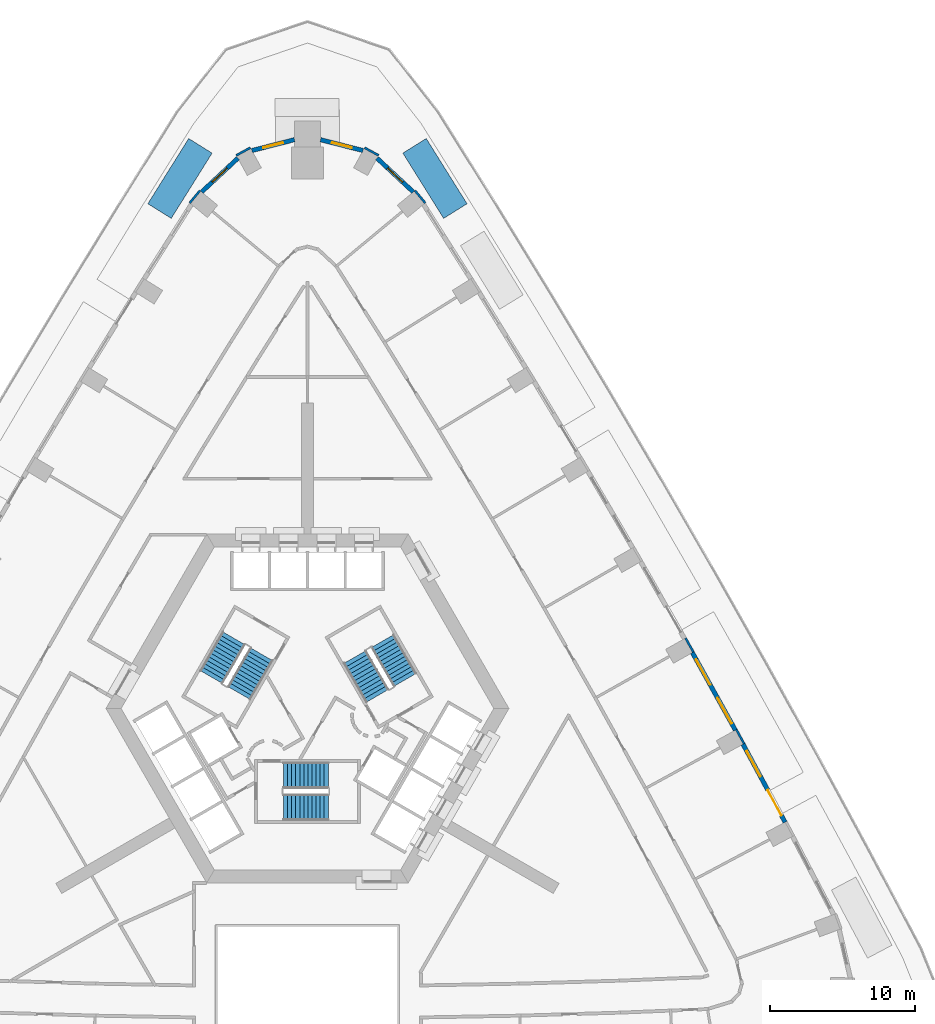
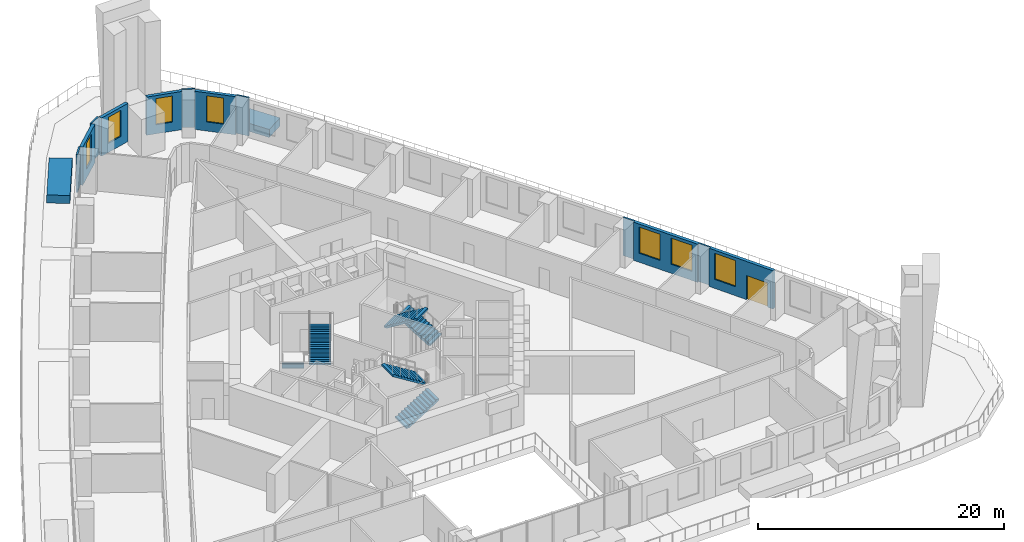
# One storey, part 12 of 16: 14 walls, 7 windows, 6 stair flights, 1 door, 8 openings, 3 elements without a shape of their own.
"""IFC4 building model written with IfcOpenShell, lengths in metres."""

from ifc_helpers import new_model, si_unit, direction, frame, frame_2d, origin, place, context, subcontext, project, spatial, polyline, rectangle, outline, extrude, material, layer, layer_set, type_object, element, fill, aggregate, save


model = new_model("IFC4")

# Units and contexts
model_context = context("Model", 3, precision=1e-05, world=origin(), true_north=direction((0.0, 1.0)))
body_context = subcontext(model_context, "Body", "Model", "MODEL_VIEW")
ifc_project = project(units=[si_unit("LENGTHUNIT", "METRE"), si_unit("AREAUNIT", "SQUARE_METRE"), si_unit("VOLUMEUNIT", "CUBIC_METRE"), si_unit("PLANEANGLEUNIT", "RADIAN"), si_unit("MASSUNIT", "GRAM", prefix="KILO")], contexts=[model_context])

# Site, building, storey
site_placement = place(None, origin())
site = spatial("IfcSite", under=ifc_project, at=site_placement, CompositionType="ELEMENT")
building_placement = place(site_placement, origin())
building = spatial("IfcBuilding", under=site, at=building_placement, Name="Entoto Arch Interchange Tower", CompositionType="ELEMENT")
storey_placement = place(building_placement, frame((0.0, 0.0, 86.60009765625)))
storey = spatial("IfcBuildingStorey", under=building, at=storey_placement, Name="L18", CompositionType="ELEMENT", Elevation=86.60009765625)

# Walls
ifc_material_1 = material(Name="Board-marked precast concrete C50/60", Category="concrete")
ifc_layer_1 = layer(ifc_material_1, 1.89990234375)
ifc_layer_set_1 = layer_set([ifc_layer_1], Name="Board-marked precast concrete C50/60")
wall_type_1 = type_object("IfcWallType", Name="PLANTER RC 1900 Afrocarpus falcatus", PredefinedType="STANDARD", material=ifc_layer_set_1)
wall_1_placement = place(storey_placement, frame((-7.363037109375, 41.199951171875, 0.0), z_axis=(0.0, 0.0, 1.0), x_axis=(-0.530433826126, -0.847726345056, 0.0)))
element("IfcWall", 1, at=wall_1_placement, inside=storey, type_object=wall_type_1, Name="Terrace planter NW-01 L18", PredefinedType="STANDARD", context=body_context, shape_type="SweptSolid", body=[
    extrude(rectangle(XDim=5.297607421875, YDim=1.89990234375, at=frame_2d((2.64892578125, 0.0))), origin(), (0.0, 0.0, 1.0), 0.7998046875),
])
ifc_layer_2 = layer(ifc_material_1, 1.89990234375)
ifc_layer_set_2 = layer_set([ifc_layer_2], Name="Board-marked precast concrete C50/60")
wall_type_2 = type_object("IfcWallType", Name="PLANTER RC 1900 Olea europaea subsp. cuspidata", PredefinedType="STANDARD", material=ifc_layer_set_2)
wall_2_placement = place(storey_placement, frame((10.173095703125, 36.708984375, 0.0), z_axis=(0.0, 0.0, 1.0), x_axis=(-0.530433826126, 0.847726345056, 0.0)))
element("IfcWall", 2, at=wall_2_placement, inside=storey, type_object=wall_type_2, Name="Terrace planter NE-09 L18", PredefinedType="STANDARD", context=body_context, shape_type="SweptSolid", body=[
    extrude(rectangle(XDim=5.297607421875, YDim=1.89990234375, at=frame_2d((2.64892578125, 0.0))), origin(), (0.0, 0.0, 1.0), 0.7998046875),
])

# Wall, openings, door, window
ifc_material_2 = material(Name="Welded tuff (ignimbrite) cladding, warm buff", Category="masonry")
ifc_layer_3 = layer(ifc_material_2, 0.300048828125)
ifc_layer_set_3 = layer_set([ifc_layer_3], Name="Welded tuff (ignimbrite) cladding, warm buff")
wall_type_3 = type_object("IfcWallType", Name="STONE INFILL WALL 300", PredefinedType="STANDARD", material=ifc_layer_set_3)
wall_3_placement = place(storey_placement, frame((32.85107421875, -5.324951171875, 0.0), z_axis=(0.0, 0.0, 1.0), x_axis=(-0.474369552216, 0.880325807829, 0.0)))
wall_3 = element("IfcWall", 3, at=wall_3_placement, inside=storey, type_object=wall_type_3, Name="Facade wall NE-02 L18", PredefinedType="STANDARD", context=body_context, shape_type="SweptSolid", body=[
    extrude(rectangle(XDim=6.098876953125, YDim=0.300048828125, at=frame_2d((3.04931640625, 0.0))), origin(), (0.0, 0.0, 1.0), 3.7998046875),
])
opening_1_placement = place(wall_3_placement, frame((0.52490234375, 0.0, 0.0)))
opening_1 = element("IfcOpeningElement", 4, at=opening_1_placement, cuts=wall_3, Name="Opening DT-NE-02-L18", PredefinedType="OPENING", context=body_context, shape_type="SweptSolid", body=[
    extrude(rectangle(XDim=2.0, YDim=2.39990234375, at=frame_2d((1.0, 1.199951171875))), frame((0.0, 0.16015625, 0.0), z_axis=(0.0, -1.0, 0.0), x_axis=(1.0, 0.0, 0.0)), (0.0, 0.0, 1.0), 0.320068359375),
])
opening_2_placement = place(wall_3_placement, frame((3.573974609375, 0.0, 0.89990234375)))
opening_2 = element("IfcOpeningElement", 5, at=opening_2_placement, cuts=wall_3, Name="Opening WO-C", PredefinedType="OPENING", context=body_context, shape_type="SweptSolid", body=[
    extrude(rectangle(XDim=2.0, YDim=2.60009765625, at=frame_2d((1.0, 1.300048828125))), frame((0.0, 0.16015625, 0.0), z_axis=(0.0, -1.0, 0.0), x_axis=(1.0, 0.0, 0.0)), (0.0, 0.0, 1.0), 0.320068359375),
])
ifc_material_3 = material(Name="Aluminium and clear glass, anodised", Category="aluminium")
door_type = type_object("IfcDoorType", Name="TERRACE DOOR DT 2000x2400", OperationType="SLIDING_TO_LEFT", PredefinedType="DOOR", material=ifc_material_3)
door_placement = place(opening_1_placement, origin())
door = element("IfcDoor", 6, at=door_placement, inside=storey, type_object=door_type, Name="Terrace door NE-02 L18", OperationType="SLIDING_TO_LEFT", OverallHeight=2.39990234375, OverallWidth=2.0, PredefinedType="DOOR", context=body_context, shape_type="SweptSolid", body=[
    extrude(rectangle(XDim=2.0, YDim=2.39990234375, at=frame_2d((1.0, 1.199951171875))), frame((0.0, 0.02490234375, 0.0), z_axis=(0.0, -1.0, 0.0), x_axis=(1.0, 0.0, 0.0)), (0.0, 0.0, 1.0), 0.050048828125),
])
fill(opening_1, door)
ifc_material_4 = material(Name="Clear glass, low-e double glazed", Category="glass")
window_type_1 = type_object("IfcWindowType", Name="WINDOW WO-C 2000x2600", PartitioningType="DOUBLE_PANEL_VERTICAL", PredefinedType="WINDOW", material=ifc_material_4)
window_1_placement = place(opening_2_placement, origin())
window_1 = element("IfcWindow", 7, at=window_1_placement, inside=storey, type_object=window_type_1, Name="Window WO-C NE-02 L18", OverallHeight=2.60009765625, OverallWidth=2.0, PartitioningType="SINGLE_PANEL", PredefinedType="WINDOW", context=body_context, shape_type="SweptSolid", body=[
    extrude(rectangle(XDim=2.0, YDim=2.60009765625, at=frame_2d((1.0, 1.300048828125))), frame((0.0, 0.030029296875, 0.0), z_axis=(0.0, -1.0, 0.0), x_axis=(1.0, 0.0, 0.0)), (0.0, 0.0, 1.0), 0.06005859375),
])
fill(opening_2, window_1)

# Wall, openings, windows
wall_4_placement = place(storey_placement, frame((29.430908203125, 1.007080078125, 0.0), z_axis=(0.0, 0.0, 1.0), x_axis=(-0.484823579315, 0.874611969356, 0.0)))
wall_4 = element("IfcWall", 8, at=wall_4_placement, inside=storey, type_object=wall_type_3, Name="Facade wall NE-03 L18", PredefinedType="STANDARD", context=body_context, shape_type="SweptSolid", body=[
    extrude(rectangle(XDim=6.0986328125, YDim=0.300048828125, at=frame_2d((3.04931640625, 0.0))), origin(), (0.0, 0.0, 1.0), 3.7998046875),
])
opening_3_placement = place(wall_4_placement, frame((0.52490234375, 0.0, 0.89990234375)))
opening_3 = element("IfcOpeningElement", 9, at=opening_3_placement, cuts=wall_4, Name="Opening WO-C", PredefinedType="OPENING", context=body_context, shape_type="SweptSolid", body=[
    extrude(rectangle(XDim=2.0, YDim=2.60009765625, at=frame_2d((1.0, 1.300048828125))), frame((0.0, 0.16015625, 0.0), z_axis=(0.0, -1.0, 0.0), x_axis=(1.0, 0.0, 0.0)), (0.0, 0.0, 1.0), 0.320068359375),
])
opening_4_placement = place(wall_4_placement, frame((3.573974609375, 0.0, 0.89990234375)))
opening_4 = element("IfcOpeningElement", 10, at=opening_4_placement, cuts=wall_4, Name="Opening WO-C", PredefinedType="OPENING", context=body_context, shape_type="SweptSolid", body=[
    extrude(rectangle(XDim=2.0, YDim=2.60009765625, at=frame_2d((1.0, 1.300048828125))), frame((0.0, 0.16015625, 0.0), z_axis=(0.0, -1.0, 0.0), x_axis=(1.0, 0.0, 0.0)), (0.0, 0.0, 1.0), 0.320068359375),
])
window_2_placement = place(opening_3_placement, origin())
window_2 = element("IfcWindow", 11, at=window_2_placement, inside=storey, type_object=window_type_1, Name="Window WO-C NE-03 L18", OverallHeight=2.60009765625, OverallWidth=2.0, PartitioningType="SINGLE_PANEL", PredefinedType="WINDOW", context=body_context, shape_type="SweptSolid", body=[
    extrude(rectangle(XDim=2.0, YDim=2.60009765625, at=frame_2d((1.0, 1.300048828125))), frame((0.0, 0.030029296875, 0.0), z_axis=(0.0, -1.0, 0.0), x_axis=(1.0, 0.0, 0.0)), (0.0, 0.0, 1.0), 0.06005859375),
])
fill(opening_3, window_2)
window_3_placement = place(opening_4_placement, origin())
window_3 = element("IfcWindow", 12, at=window_3_placement, inside=storey, type_object=window_type_1, Name="Window WO-C NE-03 L18", OverallHeight=2.60009765625, OverallWidth=2.0, PartitioningType="SINGLE_PANEL", PredefinedType="WINDOW", context=body_context, shape_type="SweptSolid", body=[
    extrude(rectangle(XDim=2.0, YDim=2.60009765625, at=frame_2d((1.0, 1.300048828125))), frame((0.0, 0.030029296875, 0.0), z_axis=(0.0, -1.0, 0.0), x_axis=(1.0, 0.0, 0.0)), (0.0, 0.0, 1.0), 0.06005859375),
])
fill(opening_4, window_3)

# Wall, opening, window
wall_5_placement = place(storey_placement, frame((7.281005859375, 38.02197265625, 0.0), z_axis=(0.0, 0.0, 1.0), x_axis=(-0.731614451791, 0.681718632525, 0.0)))
wall_5 = element("IfcWall", 13, at=wall_5_placement, inside=storey, type_object=wall_type_3, Name="Facade wall N-01 L18", PredefinedType="STANDARD", context=body_context, shape_type="SweptSolid", body=[
    extrude(rectangle(XDim=3.410400390625, YDim=0.300048828125, at=frame_2d((1.705078125, 0.0))), origin(), (0.0, 0.0, 1.0), 3.7998046875),
])
opening_5_placement = place(wall_5_placement, frame((1.0048828125, 0.0, 0.89990234375)))
opening_5 = element("IfcOpeningElement", 14, at=opening_5_placement, cuts=wall_5, Name="Opening WO-B", PredefinedType="OPENING", context=body_context, shape_type="SweptSolid", body=[
    extrude(rectangle(XDim=1.39990234375, YDim=2.60009765625, at=frame_2d((0.699951171875, 1.300048828125))), frame((0.0, 0.16015625, 0.0), z_axis=(0.0, -1.0, 0.0), x_axis=(1.0, 0.0, 0.0)), (0.0, 0.0, 1.0), 0.320068359375),
])
window_type_2 = type_object("IfcWindowType", Name="WINDOW WO-B 1400x2600", PartitioningType="DOUBLE_PANEL_VERTICAL", PredefinedType="WINDOW", material=ifc_material_4)
window_4_placement = place(opening_5_placement, origin())
window_4 = element("IfcWindow", 15, at=window_4_placement, inside=storey, type_object=window_type_2, Name="Window WO-B N-01 L18", OverallHeight=2.60009765625, OverallWidth=1.39990234375, PartitioningType="SINGLE_PANEL", PredefinedType="WINDOW", context=body_context, shape_type="SweptSolid", body=[
    extrude(rectangle(XDim=1.39990234375, YDim=2.60009765625, at=frame_2d((0.699951171875, 1.300048828125))), frame((0.0, 0.030029296875, 0.0), z_axis=(0.0, -1.0, 0.0), x_axis=(1.0, 0.0, 0.0)), (0.0, 0.0, 1.0), 0.06005859375),
])
fill(opening_5, window_4)

wall_6_placement = place(storey_placement, frame((3.822998046875, 40.873046875, 0.0), z_axis=(0.0, 0.0, 1.0), x_axis=(-0.96887809306, 0.247538362258, 0.0)))
wall_6 = element("IfcWall", 16, at=wall_6_placement, inside=storey, type_object=wall_type_3, Name="Facade wall N-02 L18", PredefinedType="STANDARD", context=body_context, shape_type="SweptSolid", body=[
    extrude(rectangle(XDim=3.01806640625, YDim=0.300048828125, at=frame_2d((1.509033203125, 0.0))), origin(), (0.0, 0.0, 1.0), 3.7998046875),
])
opening_6_placement = place(wall_6_placement, frame((0.80908203125, 0.0, 0.89990234375)))
opening_6 = element("IfcOpeningElement", 17, at=opening_6_placement, cuts=wall_6, Name="Opening WO-B", PredefinedType="OPENING", context=body_context, shape_type="SweptSolid", body=[
    extrude(rectangle(XDim=1.39990234375, YDim=2.60009765625, at=frame_2d((0.699951171875, 1.300048828125))), frame((0.0, 0.16015625, 0.0), z_axis=(0.0, -1.0, 0.0), x_axis=(1.0, 0.0, 0.0)), (0.0, 0.0, 1.0), 0.320068359375),
])
window_5_placement = place(opening_6_placement, origin())
window_5 = element("IfcWindow", 18, at=window_5_placement, inside=storey, type_object=window_type_2, Name="Window WO-B N-02 L18", OverallHeight=2.60009765625, OverallWidth=1.39990234375, PartitioningType="SINGLE_PANEL", PredefinedType="WINDOW", context=body_context, shape_type="SweptSolid", body=[
    extrude(rectangle(XDim=1.39990234375, YDim=2.60009765625, at=frame_2d((0.699951171875, 1.300048828125))), frame((0.0, 0.030029296875, 0.0), z_axis=(0.0, -1.0, 0.0), x_axis=(1.0, 0.0, 0.0)), (0.0, 0.0, 1.0), 0.06005859375),
])
fill(opening_6, window_5)

wall_7_placement = place(storey_placement, frame((-0.89892578125, 41.6201171875, 0.0), z_axis=(0.0, 0.0, 1.0), x_axis=(-0.96887809306, -0.247538362258, 0.0)))
wall_7 = element("IfcWall", 19, at=wall_7_placement, inside=storey, type_object=wall_type_3, Name="Facade wall N-03 L18", PredefinedType="STANDARD", context=body_context, shape_type="SweptSolid", body=[
    extrude(rectangle(XDim=3.01806640625, YDim=0.300048828125, at=frame_2d((1.509033203125, 0.0))), origin(), (0.0, 0.0, 1.0), 3.7998046875),
])
opening_7_placement = place(wall_7_placement, frame((0.80908203125, 0.0, 0.89990234375)))
opening_7 = element("IfcOpeningElement", 20, at=opening_7_placement, cuts=wall_7, Name="Opening WO-B", PredefinedType="OPENING", context=body_context, shape_type="SweptSolid", body=[
    extrude(rectangle(XDim=1.39990234375, YDim=2.60009765625, at=frame_2d((0.699951171875, 1.300048828125))), frame((0.0, 0.16015625, 0.0), z_axis=(0.0, -1.0, 0.0), x_axis=(1.0, 0.0, 0.0)), (0.0, 0.0, 1.0), 0.320068359375),
])
window_6_placement = place(opening_7_placement, origin())
window_6 = element("IfcWindow", 21, at=window_6_placement, inside=storey, type_object=window_type_2, Name="Window WO-B N-03 L18", OverallHeight=2.60009765625, OverallWidth=1.39990234375, PartitioningType="SINGLE_PANEL", PredefinedType="WINDOW", context=body_context, shape_type="SweptSolid", body=[
    extrude(rectangle(XDim=1.39990234375, YDim=2.60009765625, at=frame_2d((0.699951171875, 1.300048828125))), frame((0.0, 0.030029296875, 0.0), z_axis=(0.0, -1.0, 0.0), x_axis=(1.0, 0.0, 0.0)), (0.0, 0.0, 1.0), 0.06005859375),
])
fill(opening_7, window_6)

wall_8_placement = place(storey_placement, frame((-4.785888671875, 40.346923828125, 0.0), z_axis=(0.0, 0.0, 1.0), x_axis=(-0.731614451791, -0.681718632525, 0.0)))
wall_8 = element("IfcWall", 22, at=wall_8_placement, inside=storey, type_object=wall_type_3, Name="Facade wall N-04 L18", PredefinedType="STANDARD", context=body_context, shape_type="SweptSolid", body=[
    extrude(rectangle(XDim=3.410400390625, YDim=0.300048828125, at=frame_2d((1.705078125, 0.0))), origin(), (0.0, 0.0, 1.0), 3.7998046875),
])
opening_8_placement = place(wall_8_placement, frame((1.0048828125, 0.0, 0.89990234375)))
opening_8 = element("IfcOpeningElement", 23, at=opening_8_placement, cuts=wall_8, Name="Opening WO-B", PredefinedType="OPENING", context=body_context, shape_type="SweptSolid", body=[
    extrude(rectangle(XDim=1.39990234375, YDim=2.60009765625, at=frame_2d((0.699951171875, 1.300048828125))), frame((0.0, 0.16015625, 0.0), z_axis=(0.0, -1.0, 0.0), x_axis=(1.0, 0.0, 0.0)), (0.0, 0.0, 1.0), 0.320068359375),
])
window_7_placement = place(opening_8_placement, origin())
window_7 = element("IfcWindow", 24, at=window_7_placement, inside=storey, type_object=window_type_2, Name="Window WO-B N-04 L18", OverallHeight=2.60009765625, OverallWidth=1.39990234375, PartitioningType="SINGLE_PANEL", PredefinedType="WINDOW", context=body_context, shape_type="SweptSolid", body=[
    extrude(rectangle(XDim=1.39990234375, YDim=2.60009765625, at=frame_2d((0.699951171875, 1.300048828125))), frame((0.0, 0.030029296875, 0.0), z_axis=(0.0, -1.0, 0.0), x_axis=(1.0, 0.0, 0.0)), (0.0, 0.0, 1.0), 0.06005859375),
])
fill(opening_8, window_7)

# Walls
ifc_layer_4 = layer(ifc_material_2, 0.14990234375)
ifc_layer_set_4 = layer_set([ifc_layer_4], Name="Welded tuff (ignimbrite) cladding, warm buff")
wall_type_4 = type_object("IfcWallType", Name="STONE PIER CLADDING 150", PredefinedType="STANDARD", material=ifc_layer_set_4)
for number, where, z_axis, x_axis, name in (
    (25, (4.89306640625, 40.5390625, 0.0), (0.0, 0.0, 1.0), (-0.877556336627, 0.479473540507, 0.0), "Stone pier N1 L18"),
    (26, (-3.927001953125, 41.06689453125, 0.0), (0.0, 0.0, 1.0), (-0.877556336627, -0.479473540507, 0.0), "Stone pier N3 L18"),
    (27, (30.027099609375, 0.080078125, 0.0), (0.0, 0.0, 1.0), (-0.479737645119, 0.877411985247, 0.0), "Stone pier NE03 L18"),
):
    element("IfcWall", number, at=place(storey_placement, frame(where, z_axis=z_axis, x_axis=x_axis)), inside=storey, type_object=wall_type_4, Name=name, PredefinedType="STANDARD", context=body_context, shape_type="SweptSolid", body=[
        extrude(rectangle(XDim=1.100830078125, YDim=0.14990234375, at=frame_2d((0.55029296875, 0.0))), origin(), (0.0, 0.0, 1.0), 3.7998046875),
    ])
wall_9_placement = place(storey_placement, frame((26.54296875, 6.37890625, 0.0), z_axis=(0.0, 0.0, 1.0), x_axis=(-0.490008344094, 0.871717742574, 0.0)))
element("IfcWall", 28, at=wall_9_placement, inside=storey, type_object=wall_type_4, Name="Stone pier NE04 L18", PredefinedType="STANDARD", context=body_context, shape_type="SweptSolid", body=[
    extrude(rectangle(XDim=1.10009765625, YDim=0.14990234375, at=frame_2d((0.550048828125, 0.0))), origin(), (0.0, 0.0, 1.0), 3.7998046875),
])
for number, where, z_axis, x_axis, name in (
    (29, (8.094970703125, 37.27001953125, 0.0), (0.0, 0.0, 1.0), (-0.638544483078, 0.769584916127, 0.0), "Stone pier NE09 L18"),
    (30, (-7.39306640625, 38.115966796875, 0.0), (0.0, 0.0, 1.0), (-0.638544483078, -0.769584916127, 0.0), "Stone pier NW01 L18"),
):
    element("IfcWall", number, at=place(storey_placement, frame(where, z_axis=z_axis, x_axis=x_axis)), inside=storey, type_object=wall_type_4, Name=name, PredefinedType="STANDARD", context=body_context, shape_type="SweptSolid", body=[
        extrude(rectangle(XDim=1.09912109375, YDim=0.14990234375, at=frame_2d((0.549560546875, 0.0))), origin(), (0.0, 0.0, 1.0), 3.7998046875),
    ])

# Stair, stair flights
ifc_material_5 = material(Name="Concrete C40/50", Category="concrete")
stair_type = type_object("IfcStairType", Name="EXIT STAIR RC 1800", PredefinedType="HALF_TURN_STAIR", material=ifc_material_5)
stair_1_placement = place(storey_placement, origin())
stair_1 = element("IfcStair", 31, at=stair_1_placement, inside=storey, type_object=stair_type, Name="L18 Exit stair S", PredefinedType="HALF_TURN_STAIR")
stair_flight_type = type_object("IfcStairFlightType", Name="EXIT STAIR FLIGHT RC 1800", PredefinedType="STRAIGHT", material=ifc_material_5)
stair_flight_1_placement = place(storey_placement, frame((-1.64990234375, -4.300048828125, 0.0), z_axis=(0.0, 0.0, 1.0), x_axis=(1.0, 0.0, 0.0)))
stair_flight_1 = element("IfcStairFlight", 32, at=stair_flight_1_placement, type_object=stair_flight_type, Name="ST-S flight 1", NumberOfRisers=12, NumberOfTreads=11, PredefinedType="STRAIGHT", RiserHeight=0.175, TreadLength=0.28, context=body_context, shape_type="SweptSolid", body=[
    extrude(outline(polyline([(-0.0029296875, 0.0), (-0.0029296875, 0.175048828125), (0.280029296875, 0.175048828125), (0.280029296875, 0.35009765625), (0.56005859375, 0.35009765625), (0.56005859375, 0.52490234375), (0.840087890625, 0.52490234375), (0.840087890625, 0.699951171875), (1.1201171875, 0.699951171875), (1.1201171875, 0.875), (1.39990234375, 0.875), (1.39990234375, 1.050048828125), (1.679931640625, 1.050048828125), (1.679931640625, 1.22509765625), (1.9599609375, 1.22509765625), (1.9599609375, 1.39990234375), (2.239990234375, 1.39990234375), (2.239990234375, 1.574951171875), (2.52001953125, 1.574951171875), (2.52001953125, 1.75), (2.800048828125, 1.75), (2.800048828125, 1.925048828125), (3.080078125, 1.925048828125), (3.0830078125, 1.925048828125), (3.0830078125, 1.75), (0.28271484375, 0.0), (-0.0029296875, 0.0)])), frame((0.0, 0.89990234375, 0.0), z_axis=(0.0, -1.0, 0.0), x_axis=(1.0, 0.0, 0.0)), (0.0, 0.0, 1.0), 1.800048828125),
])
stair_flight_2_placement = place(storey_placement, frame((1.429931640625, -2.10009765625, 2.099853515625), z_axis=(0.0, 0.0, 1.0), x_axis=(-1.0, 0.0, 0.0)))
stair_flight_2 = element("IfcStairFlight", 33, at=stair_flight_2_placement, type_object=stair_flight_type, Name="ST-S flight 2", NumberOfRisers=12, NumberOfTreads=11, PredefinedType="STRAIGHT", RiserHeight=0.175, TreadLength=0.28, context=body_context, shape_type="SweptSolid", body=[
    extrude(outline(polyline([(-0.0029296875, 0.0), (-0.0029296875, 0.175048828125), (0.280029296875, 0.175048828125), (0.280029296875, 0.35009765625), (0.56005859375, 0.35009765625), (0.56005859375, 0.52490234375), (0.840087890625, 0.52490234375), (0.840087890625, 0.699951171875), (1.1201171875, 0.699951171875), (1.1201171875, 0.875), (1.39990234375, 0.875), (1.39990234375, 1.050048828125), (1.679931640625, 1.050048828125), (1.679931640625, 1.22509765625), (1.9599609375, 1.22509765625), (1.9599609375, 1.39990234375), (2.239990234375, 1.39990234375), (2.239990234375, 1.574951171875), (2.52001953125, 1.574951171875), (2.52001953125, 1.75), (2.800048828125, 1.75), (2.800048828125, 1.925048828125), (3.080078125, 1.925048828125), (3.0830078125, 1.925048828125), (3.0830078125, 1.75), (0.28271484375, 0.0), (-0.0029296875, 0.0)])), frame((0.0, 0.89990234375, 0.0), z_axis=(0.0, -1.0, 0.0), x_axis=(1.0, 0.0, 0.0)), (0.0, 0.0, 1.0), 1.800048828125),
])
aggregate(stair_1, [stair_flight_1, stair_flight_2])

stair_2_placement = place(storey_placement, origin())
stair_2 = element("IfcStair", 34, at=stair_2_placement, inside=storey, type_object=stair_type, Name="L18 Exit stair NE", PredefinedType="HALF_TURN_STAIR")
stair_flight_3_placement = place(storey_placement, frame((6.7138671875, 4.470947265625, 0.0), z_axis=(0.0, 0.0, 1.0), x_axis=(-0.5, 0.866025403784, 0.0)))
stair_flight_3 = element("IfcStairFlight", 35, at=stair_flight_3_placement, type_object=stair_flight_type, Name="ST-NE flight 1", NumberOfRisers=12, NumberOfTreads=11, PredefinedType="STRAIGHT", RiserHeight=0.175, TreadLength=0.28, context=body_context, shape_type="SweptSolid", body=[
    extrude(outline(polyline([(-0.0029296875, 0.0), (-0.0029296875, 0.175048828125), (0.280029296875, 0.175048828125), (0.280029296875, 0.35009765625), (0.56005859375, 0.35009765625), (0.56005859375, 0.52490234375), (0.840087890625, 0.52490234375), (0.840087890625, 0.699951171875), (1.1201171875, 0.699951171875), (1.1201171875, 0.875), (1.39990234375, 0.875), (1.39990234375, 1.050048828125), (1.679931640625, 1.050048828125), (1.679931640625, 1.22509765625), (1.9599609375, 1.22509765625), (1.9599609375, 1.39990234375), (2.239990234375, 1.39990234375), (2.239990234375, 1.574951171875), (2.52001953125, 1.574951171875), (2.52001953125, 1.75), (2.800048828125, 1.75), (2.800048828125, 1.925048828125), (3.080078125, 1.925048828125), (3.0830078125, 1.925048828125), (3.0830078125, 1.75), (0.28271484375, 0.0), (-0.0029296875, 0.0)])), frame((0.0, 0.89990234375, 0.0), z_axis=(0.0, -1.0, 0.0), x_axis=(1.0, 0.0, 0.0)), (0.0, 0.0, 1.0), 1.800048828125),
])
stair_flight_4_placement = place(storey_placement, frame((3.268798828125, 6.038330078125, 2.099853515625), z_axis=(0.0, 0.0, 1.0), x_axis=(0.5, -0.866025403784, 0.0)))
stair_flight_4 = element("IfcStairFlight", 36, at=stair_flight_4_placement, type_object=stair_flight_type, Name="ST-NE flight 2", NumberOfRisers=12, NumberOfTreads=11, PredefinedType="STRAIGHT", RiserHeight=0.175, TreadLength=0.28, context=body_context, shape_type="SweptSolid", body=[
    extrude(outline(polyline([(-0.0029296875, 0.0), (-0.0029296875, 0.175048828125), (0.280029296875, 0.175048828125), (0.280029296875, 0.35009765625), (0.56005859375, 0.35009765625), (0.56005859375, 0.52490234375), (0.840087890625, 0.52490234375), (0.840087890625, 0.699951171875), (1.1201171875, 0.699951171875), (1.1201171875, 0.875), (1.39990234375, 0.875), (1.39990234375, 1.050048828125), (1.679931640625, 1.050048828125), (1.679931640625, 1.22509765625), (1.9599609375, 1.22509765625), (1.9599609375, 1.39990234375), (2.239990234375, 1.39990234375), (2.239990234375, 1.574951171875), (2.52001953125, 1.574951171875), (2.52001953125, 1.75), (2.800048828125, 1.75), (2.800048828125, 1.925048828125), (3.080078125, 1.925048828125), (3.0830078125, 1.925048828125), (3.0830078125, 1.75), (0.28271484375, 0.0), (-0.0029296875, 0.0)])), frame((0.0, 0.89990234375, 0.0), z_axis=(0.0, -1.0, 0.0), x_axis=(1.0, 0.0, 0.0)), (0.0, 0.0, 1.0), 1.800048828125),
])
aggregate(stair_2, [stair_flight_3, stair_flight_4])

stair_3_placement = place(storey_placement, origin())
stair_3 = element("IfcStair", 37, at=stair_3_placement, inside=storey, type_object=stair_type, Name="L18 Exit stair NW", PredefinedType="HALF_TURN_STAIR")
stair_flight_5_placement = place(storey_placement, frame((-5.06396484375, 7.328857421875, 0.0), z_axis=(0.0, 0.0, 1.0), x_axis=(-0.5, -0.866025403784, 0.0)))
stair_flight_5 = element("IfcStairFlight", 38, at=stair_flight_5_placement, type_object=stair_flight_type, Name="ST-NW flight 1", NumberOfRisers=12, NumberOfTreads=11, PredefinedType="STRAIGHT", RiserHeight=0.175, TreadLength=0.28, context=body_context, shape_type="SweptSolid", body=[
    extrude(outline(polyline([(-0.0029296875, 0.0), (-0.0029296875, 0.175048828125), (0.280029296875, 0.175048828125), (0.280029296875, 0.35009765625), (0.56005859375, 0.35009765625), (0.56005859375, 0.52490234375), (0.840087890625, 0.52490234375), (0.840087890625, 0.699951171875), (1.1201171875, 0.699951171875), (1.1201171875, 0.875), (1.39990234375, 0.875), (1.39990234375, 1.050048828125), (1.679931640625, 1.050048828125), (1.679931640625, 1.22509765625), (1.9599609375, 1.22509765625), (1.9599609375, 1.39990234375), (2.239990234375, 1.39990234375), (2.239990234375, 1.574951171875), (2.52001953125, 1.574951171875), (2.52001953125, 1.75), (2.800048828125, 1.75), (2.800048828125, 1.925048828125), (3.080078125, 1.925048828125), (3.0830078125, 1.925048828125), (3.0830078125, 1.75), (0.28271484375, 0.0), (-0.0029296875, 0.0)])), frame((0.0, 0.89990234375, 0.0), z_axis=(0.0, -1.0, 0.0), x_axis=(1.0, 0.0, 0.0)), (0.0, 0.0, 1.0), 1.800048828125),
])
stair_flight_6_placement = place(storey_placement, frame((-4.69873046875, 3.5615234375, 2.099853515625), z_axis=(0.0, 0.0, 1.0), x_axis=(0.5, 0.866025403784, 0.0)))
stair_flight_6 = element("IfcStairFlight", 39, at=stair_flight_6_placement, type_object=stair_flight_type, Name="ST-NW flight 2", NumberOfRisers=12, NumberOfTreads=11, PredefinedType="STRAIGHT", RiserHeight=0.175, TreadLength=0.28, context=body_context, shape_type="SweptSolid", body=[
    extrude(outline(polyline([(-0.0029296875, 0.0), (-0.0029296875, 0.175048828125), (0.280029296875, 0.175048828125), (0.280029296875, 0.35009765625), (0.56005859375, 0.35009765625), (0.56005859375, 0.52490234375), (0.840087890625, 0.52490234375), (0.840087890625, 0.699951171875), (1.1201171875, 0.699951171875), (1.1201171875, 0.875), (1.39990234375, 0.875), (1.39990234375, 1.050048828125), (1.679931640625, 1.050048828125), (1.679931640625, 1.22509765625), (1.9599609375, 1.22509765625), (1.9599609375, 1.39990234375), (2.239990234375, 1.39990234375), (2.239990234375, 1.574951171875), (2.52001953125, 1.574951171875), (2.52001953125, 1.75), (2.800048828125, 1.75), (2.800048828125, 1.925048828125), (3.080078125, 1.925048828125), (3.0830078125, 1.925048828125), (3.0830078125, 1.75), (0.28271484375, 0.0), (-0.0029296875, 0.0)])), frame((0.0, 0.89990234375, 0.0), z_axis=(0.0, -1.0, 0.0), x_axis=(1.0, 0.0, 0.0)), (0.0, 0.0, 1.0), 1.800048828125),
])
aggregate(stair_3, [stair_flight_5, stair_flight_6])

save(model, "model.ifc")
